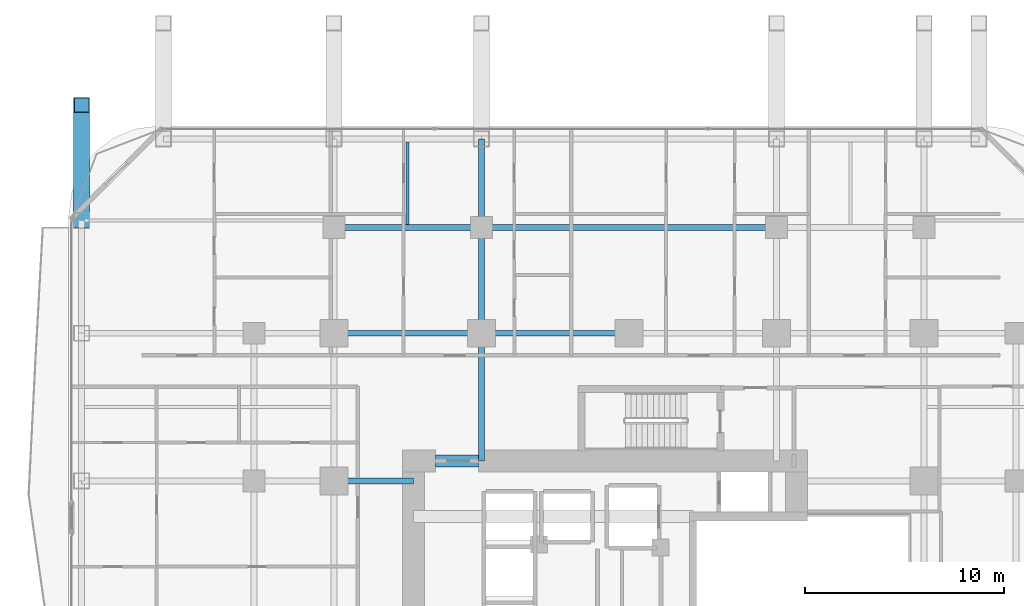
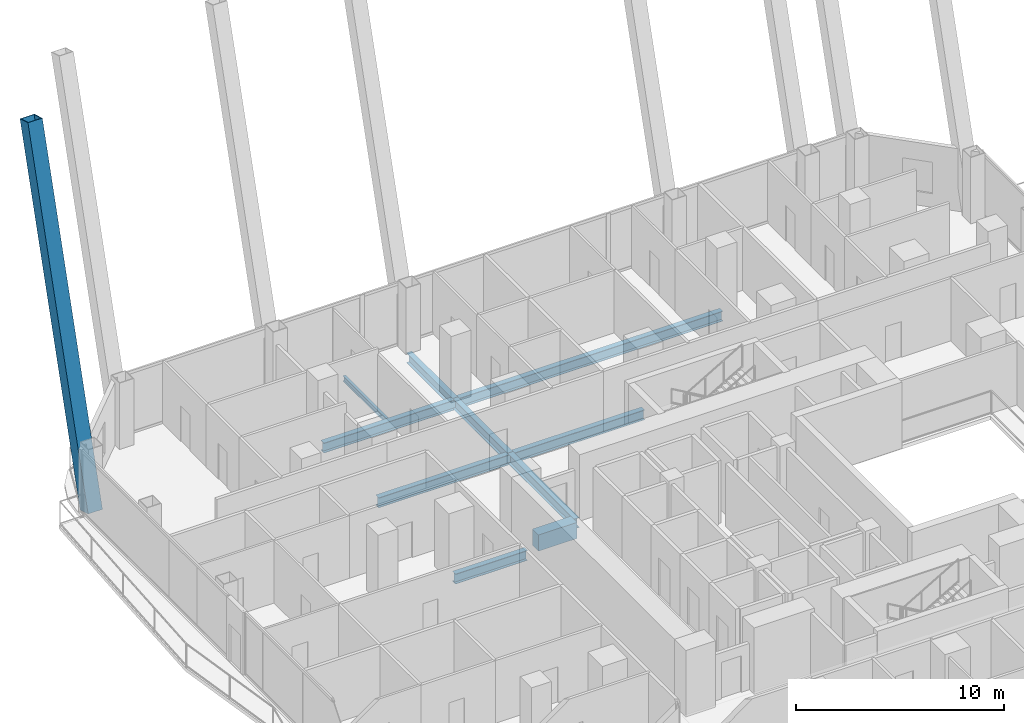
# One storey, part 14 of 33: 10 beams, 1 member.
"""IFC4 building model written with IfcOpenShell, lengths in metres."""

from ifc_helpers import new_model, si_unit, direction, frame, origin, origin_2d, place, context, subcontext, project, spatial, rectangle, hollow_rectangle, i_section, extrude, material, material_profile, profile_set, type_object, element, save


model = new_model("IFC4")

# Units and contexts
model_context = context("Model", 3, precision=1e-05, world=origin(), true_north=direction((0.0, 1.0)))
body_context = subcontext(model_context, "Body", "Model", "MODEL_VIEW")
ifc_project = project(units=[si_unit("LENGTHUNIT", "METRE"), si_unit("AREAUNIT", "SQUARE_METRE"), si_unit("VOLUMEUNIT", "CUBIC_METRE"), si_unit("PLANEANGLEUNIT", "RADIAN"), si_unit("MASSUNIT", "GRAM", prefix="KILO")], contexts=[model_context])

# Site, building, storey
site_placement = place(None, origin())
site = spatial("IfcSite", under=ifc_project, at=site_placement, CompositionType="ELEMENT")
building_placement = place(site_placement, origin())
building = spatial("IfcBuilding", under=site, at=building_placement, Name="Khorvyn Point Tower", CompositionType="ELEMENT")
storey_placement = place(building_placement, frame((0.0, 0.0, 65.699951171875)))
storey = spatial("IfcBuildingStorey", under=building, at=storey_placement, Name="L17", CompositionType="ELEMENT", Elevation=65.699951171875)

# Beams
ifc_material_1 = material(Name="Concrete C50/60", Category="concrete")
ifc_material_profile_1 = material_profile(ifc_material_1, rectangle(XDim=0.60009765625, YDim=0.949951171875, at=origin_2d()))
ifc_profile_set_1 = profile_set([ifc_material_profile_1], Name="Concrete C50/60 RC600x950")
beam_type_1 = type_object("IfcBeamType", Name="Concrete C50/60 Beam RC600x950", PredefinedType="BEAM", material=ifc_profile_set_1)
beam_1_placement = place(storey_placement, frame((-9.699951171875, 8.39990234375, -0.695068359375), z_axis=(1.0, 0.0, 0.0), x_axis=(0.0, 1.0, 0.0)))
element("IfcBeam", 1, at=beam_1_placement, inside=storey, type_object=beam_type_1, Name="L17 Core Northwest Portal Coupling Beam", PredefinedType="BEAM", context=body_context, shape_type="SweptSolid", body=[
    extrude(rectangle(XDim=0.60009765625, YDim=0.949951171875, at=origin_2d()), origin(), (0.0, 0.0, 1.0), 2.14990234375),
])
ifc_material_2 = material(Name="Steel S355", Category="steel")
ifc_material_profile_2 = material_profile(ifc_material_2, i_section(OverallWidth=0.300048828125, OverallDepth=0.587890625, WebThickness=0.011962890625, FlangeThickness=0.02001953125, at=origin_2d()))
ifc_profile_set_2 = profile_set([ifc_material_profile_2], Name="Steel S355 H588x300x12x20")
beam_type_2 = type_object("IfcBeamType", Name="Steel S355 Beam H588x300x12x20", PredefinedType="BEAM", material=ifc_profile_set_2)
beam_2_placement = place(storey_placement, frame((-14.800048828125, 14.800048828125, -0.513916015625), z_axis=(1.0, 0.0, 0.0), x_axis=(0.0, 1.0, 0.0)))
element("IfcBeam", 2, at=beam_2_placement, inside=storey, type_object=beam_type_2, Name="Beam", PredefinedType="BEAM", context=body_context, shape_type="SweptSolid", body=[
    extrude(i_section(OverallWidth=0.300048828125, OverallDepth=0.587890625, WebThickness=0.011962890625, FlangeThickness=0.02001953125, at=origin_2d()), origin(), (0.0, 0.0, 1.0), 7.400146484375),
])
beam_3_placement = place(storey_placement, frame((-7.39990234375, 14.800048828125, -0.513916015625), z_axis=(1.0, 0.0, 0.0), x_axis=(0.0, 1.0, 0.0)))
element("IfcBeam", 3, at=beam_3_placement, inside=storey, type_object=beam_type_2, Name="Beam", PredefinedType="BEAM", context=body_context, shape_type="SweptSolid", body=[
    extrude(i_section(OverallWidth=0.300048828125, OverallDepth=0.587890625, WebThickness=0.011962890625, FlangeThickness=0.02001953125, at=origin_2d()), origin(), (0.0, 0.0, 1.0), 7.39990234375),
])
beam_4_placement = place(storey_placement, frame((-14.800048828125, 7.39990234375, -0.513916015625), z_axis=(1.0, 0.0, 0.0), x_axis=(0.0, 1.0, 0.0)))
element("IfcBeam", 4, at=beam_4_placement, inside=storey, type_object=beam_type_2, Name="Beam", PredefinedType="BEAM", context=body_context, shape_type="SweptSolid", body=[
    extrude(i_section(OverallWidth=0.300048828125, OverallDepth=0.587890625, WebThickness=0.011962890625, FlangeThickness=0.02001953125, at=origin_2d()), origin(), (0.0, 0.0, 1.0), 4.0),
])
beam_5_placement = place(storey_placement, frame((-14.800048828125, 20.10009765625, -0.513916015625), z_axis=(1.0, 0.0, 0.0), x_axis=(0.0, 1.0, 0.0)))
element("IfcBeam", 5, at=beam_5_placement, inside=storey, type_object=beam_type_2, Name="Beam", PredefinedType="BEAM", context=body_context, shape_type="SweptSolid", body=[
    extrude(i_section(OverallWidth=0.300048828125, OverallDepth=0.587890625, WebThickness=0.011962890625, FlangeThickness=0.02001953125, at=origin_2d()), origin(), (0.0, 0.0, 1.0), 7.400146484375),
])
beam_6_placement = place(storey_placement, frame((-7.39990234375, 20.10009765625, -0.513916015625), z_axis=(1.0, 0.0, 0.0), x_axis=(0.0, 1.0, 0.0)))
element("IfcBeam", 6, at=beam_6_placement, inside=storey, type_object=beam_type_2, Name="Beam", PredefinedType="BEAM", context=body_context, shape_type="SweptSolid", body=[
    extrude(i_section(OverallWidth=0.300048828125, OverallDepth=0.587890625, WebThickness=0.011962890625, FlangeThickness=0.02001953125, at=origin_2d()), origin(), (0.0, 0.0, 1.0), 14.7998046875),
])
beam_7_placement = place(storey_placement, frame((-7.39990234375, 8.39990234375, -0.513916015625), z_axis=(0.0, 1.0, 0.0), x_axis=(-1.0, 0.0, 0.0)))
element("IfcBeam", 7, at=beam_7_placement, inside=storey, type_object=beam_type_2, Name="Beam", PredefinedType="BEAM", context=body_context, shape_type="SweptSolid", body=[
    extrude(i_section(OverallWidth=0.300048828125, OverallDepth=0.587890625, WebThickness=0.011962890625, FlangeThickness=0.02001953125, at=origin_2d()), origin(), (0.0, 0.0, 1.0), 6.400146484375),
])
beam_8_placement = place(storey_placement, frame((-7.39990234375, 14.800048828125, -0.513916015625), z_axis=(0.0, 1.0, 0.0), x_axis=(-1.0, 0.0, 0.0)))
element("IfcBeam", 8, at=beam_8_placement, inside=storey, type_object=beam_type_2, Name="Beam", PredefinedType="BEAM", context=body_context, shape_type="SweptSolid", body=[
    extrude(i_section(OverallWidth=0.300048828125, OverallDepth=0.587890625, WebThickness=0.011962890625, FlangeThickness=0.02001953125, at=origin_2d()), origin(), (0.0, 0.0, 1.0), 5.300048828125),
])
beam_9_placement = place(storey_placement, frame((-7.39990234375, 20.10009765625, -0.513916015625), z_axis=(0.0, 1.0, 0.0), x_axis=(-1.0, 0.0, 0.0)))
element("IfcBeam", 9, at=beam_9_placement, inside=storey, type_object=beam_type_2, Name="Beam", PredefinedType="BEAM", context=body_context, shape_type="SweptSolid", body=[
    extrude(i_section(OverallWidth=0.300048828125, OverallDepth=0.587890625, WebThickness=0.011962890625, FlangeThickness=0.02001953125, at=origin_2d()), origin(), (0.0, 0.0, 1.0), 4.449951171875),
])
ifc_material_profile_3 = material_profile(ifc_material_2, i_section(OverallWidth=0.14990234375, OverallDepth=0.300048828125, WebThickness=0.006591796875, FlangeThickness=0.009033203125, at=origin_2d()))
ifc_profile_set_3 = profile_set([ifc_material_profile_3], Name="Steel S355 H300x150x6.5x9")
beam_type_3 = type_object("IfcBeamType", Name="Steel S355 Joist H300x150x6.5x9", PredefinedType="JOIST", material=ifc_profile_set_3)
beam_10_placement = place(storey_placement, frame((-11.10009765625, 20.25, -0.369873046875), z_axis=(0.0, 1.0, 0.0), x_axis=(-1.0, 0.0, 0.0)))
element("IfcBeam", 10, at=beam_10_placement, inside=storey, type_object=beam_type_3, Name="Beam", PredefinedType="JOIST", context=body_context, shape_type="SweptSolid", body=[
    extrude(i_section(OverallWidth=0.14990234375, OverallDepth=0.300048828125, WebThickness=0.006591796875, FlangeThickness=0.009033203125, at=origin_2d()), origin(), (0.0, 0.0, 1.0), 4.14990234375),
])

# Member
ifc_material_3 = material(Name="Steel S450", Category="steel")
ifc_material_profile_4 = material_profile(ifc_material_3, hollow_rectangle(XDim=0.800048828125, YDim=0.800048828125, WallThickness=0.035888671875, at=origin_2d()))
ifc_profile_set_4 = profile_set([ifc_material_profile_4], Name="Steel S450 BOX800x800x36")
member_type = type_object("IfcMemberType", Name="Steel S450 Exoskeleton Structural Post BOX800x800x36", PredefinedType="POST", material=ifc_profile_set_4)
member_placement = place(storey_placement, frame((-27.449951171875, 20.449951171875, 0.0), z_axis=(0.0, 0.285094530681, 0.958499404578), x_axis=(-1.0, 0.0, 0.0)))
element("IfcMember", 11, at=member_placement, inside=storey, type_object=member_type, Name="L17 to L21 Exoskeleton Transfer Post 05", PredefinedType="POST", context=body_context, shape_type="SweptSolid", body=[
    extrude(hollow_rectangle(XDim=0.800048828125, YDim=0.800048828125, WallThickness=0.035888671875, at=origin_2d()), origin(), (0.0, 0.0, 1.0), 20.34423828125),
])

save(model, "model.ifc")
